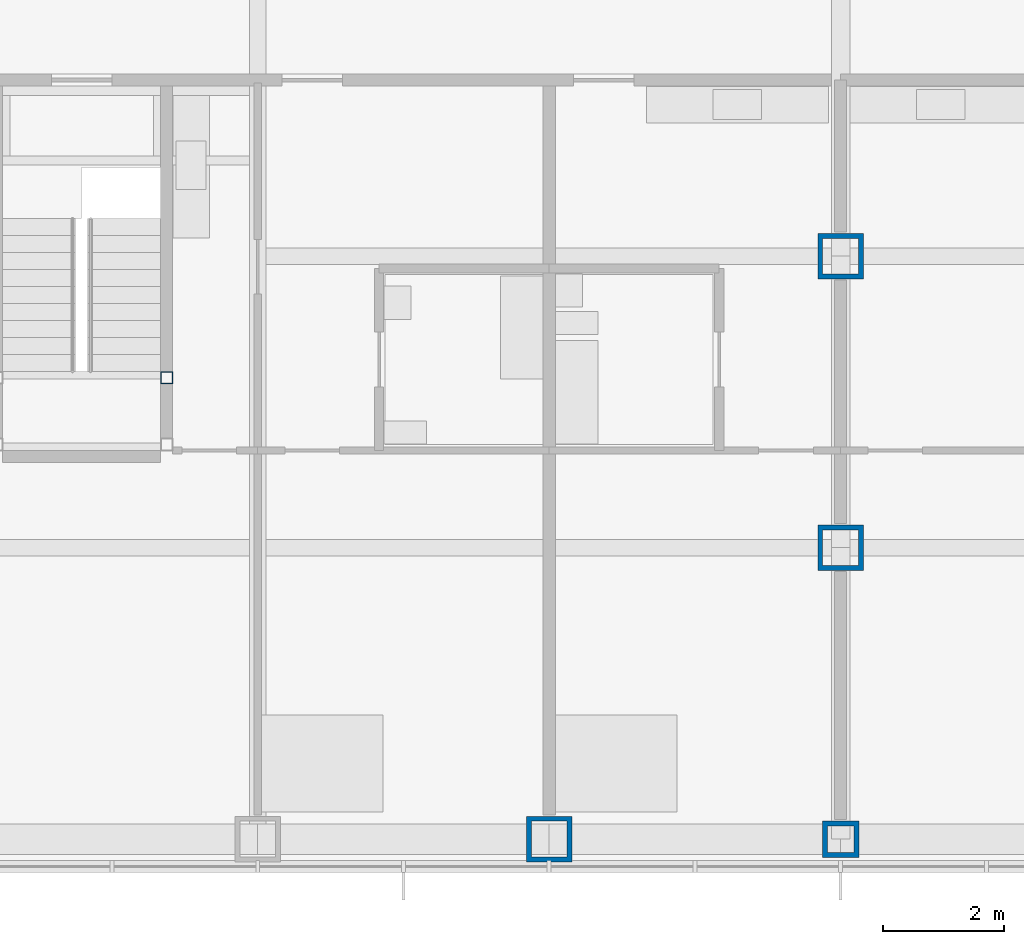
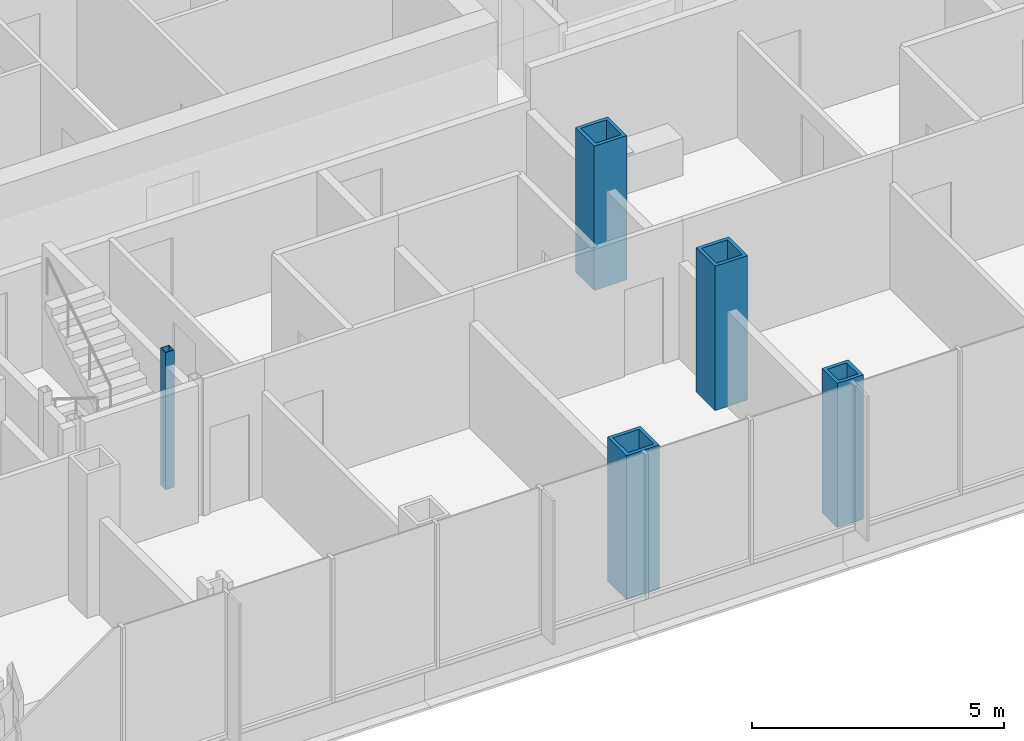
# One storey, part 2 of 21: 5 columns.
"""IFC4 building model written with IfcOpenShell, lengths in metres."""

from ifc_helpers import new_model, si_unit, direction, frame, origin, origin_2d, place, context, subcontext, project, spatial, hollow_rectangle, extrude, material, material_profile, profile_set, type_object, element, save


model = new_model("IFC4")

# Units and contexts
model_context = context("Model", 3, precision=1e-05, world=origin(), true_north=direction((0.0, 1.0)))
body_context = subcontext(model_context, "Body", "Model", "MODEL_VIEW")
ifc_project = project(units=[si_unit("LENGTHUNIT", "METRE"), si_unit("AREAUNIT", "SQUARE_METRE"), si_unit("VOLUMEUNIT", "CUBIC_METRE"), si_unit("PLANEANGLEUNIT", "RADIAN"), si_unit("MASSUNIT", "GRAM", prefix="KILO")], contexts=[model_context])

# Site, building, storey
site_placement = place(None, origin())
site = spatial("IfcSite", under=ifc_project, at=site_placement, CompositionType="ELEMENT")
building_placement = place(site_placement, origin())
building = spatial("IfcBuilding", under=site, at=building_placement, Name="Kvirike Care Tower", CompositionType="ELEMENT")
storey_placement = place(building_placement, frame((0.0, 0.0, 27.0)))
storey = spatial("IfcBuildingStorey", under=building, at=storey_placement, Name="L06", CompositionType="ELEMENT", Elevation=27.0)

# Columns
ifc_material_1 = material(Name="Steel S460", Category="steel")
ifc_material_profile_1 = material_profile(ifc_material_1, hollow_rectangle(XDim=0.60009765625, YDim=0.60009765625, WallThickness=0.080078125, at=origin_2d()), Name="BX 600x600x80")
ifc_profile_set_1 = profile_set([ifc_material_profile_1], Name="Steel S460")
column_type_1 = type_object("IfcColumnType", Name="COLUMN BX 600x600x80", PredefinedType="COLUMN", material=ifc_profile_set_1)
column_1_placement = place(storey_placement, frame((28.800048828125, 14.39990234375, 0.0), z_axis=(0.0, 0.0, 1.0), x_axis=(0.0, 1.0, 0.0)))
element("IfcColumn", 1, at=column_1_placement, inside=storey, type_object=column_type_1, Name="Column D9 L06", PredefinedType="COLUMN", context=body_context, shape_type="SweptSolid", body=[
    extrude(hollow_rectangle(XDim=0.60009765625, YDim=0.60009765625, WallThickness=0.080078125, at=origin_2d()), origin(), (0.0, 0.0, 1.0), 3.5),
])
ifc_material_2 = material(Name="Steel S460", Category="steel")
ifc_material_profile_2 = material_profile(ifc_material_2, hollow_rectangle(XDim=0.75, YDim=0.75, WallThickness=0.080078125, at=origin_2d()), Name="BX 750x750x80")
ifc_profile_set_2 = profile_set([ifc_material_profile_2], Name="Steel S460")
column_type_2 = type_object("IfcColumnType", Name="COLUMN BX 750x750x80", PredefinedType="COLUMN", material=ifc_profile_set_2)
for number, where, z_axis, x_axis, name in (
    (2, (24.0, 14.39990234375, 0.0), (0.0, 0.0, 1.0), (0.0, 1.0, 0.0), "Column D8 L06"),
    (3, (28.800048828125, 19.199951171875, 0.0), (0.0, 0.0, 1.0), (1.0, 0.0, 0.0), "Column E9 L06"),
    (4, (28.800048828125, 24.0, 0.0), (0.0, 0.0, 1.0), (1.0, 0.0, 0.0), "Column F9 L06"),
):
    element("IfcColumn", number, at=place(storey_placement, frame(where, z_axis=z_axis, x_axis=x_axis)), inside=storey, type_object=column_type_2, Name=name, PredefinedType="COLUMN", context=body_context, shape_type="SweptSolid", body=[
        extrude(hollow_rectangle(XDim=0.75, YDim=0.75, WallThickness=0.080078125, at=origin_2d()), origin(), (0.0, 0.0, 1.0), 3.5),
    ])
ifc_material_3 = material(Name="Steel S460", Category="steel")
ifc_material_profile_3 = material_profile(ifc_material_3, hollow_rectangle(XDim=0.199951171875, YDim=0.199951171875, WallThickness=0.008056640625, at=origin_2d()), Name="SHS 200x200x8")
ifc_profile_set_3 = profile_set([ifc_material_profile_3], Name="Steel S460")
column_type_3 = type_object("IfcColumnType", Name="STAIR POST SHS 200x200x8", PredefinedType="COLUMN", material=ifc_profile_set_3)
column_2_placement = place(storey_placement, frame((17.699951171875, 22.0, 0.0), z_axis=(0.0, 0.0, 1.0), x_axis=(1.0, 0.0, 0.0)))
element("IfcColumn", 5, at=column_2_placement, inside=storey, type_object=column_type_3, Name="Stair 5 post 4 L06", PredefinedType="COLUMN", context=body_context, shape_type="SweptSolid", body=[
    extrude(hollow_rectangle(XDim=0.199951171875, YDim=0.199951171875, WallThickness=0.008056640625, at=origin_2d()), origin(), (0.0, 0.0, 1.0), 3.330078125),
])

save(model, "model.ifc")
